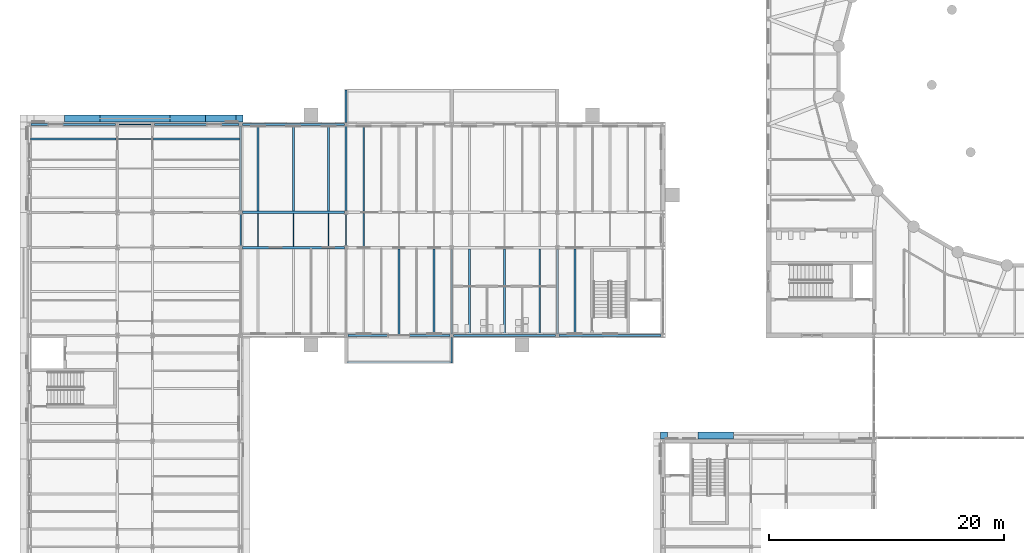
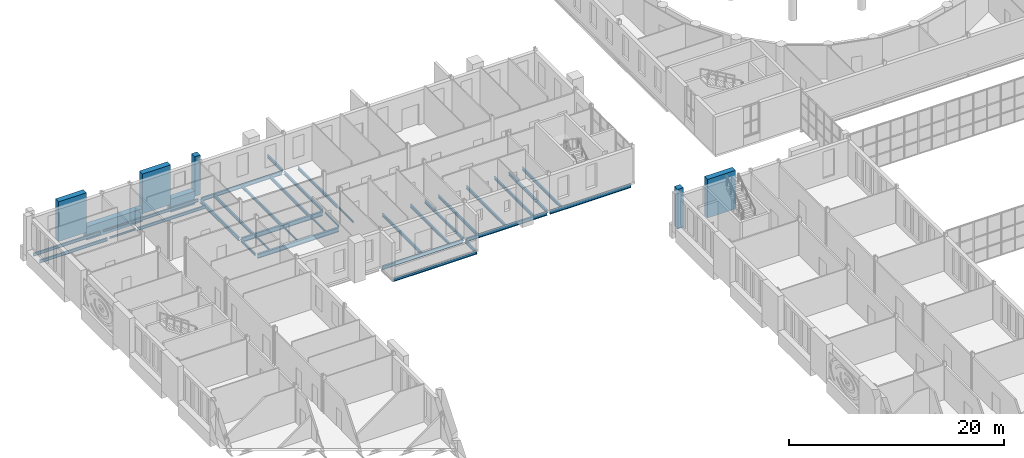
# One storey, part 37 of 134: 37 beams, 5 members.
"""IFC4 building model written with IfcOpenShell, lengths in metres."""

from ifc_helpers import new_model, si_unit, direction, frame, origin, origin_2d, place, context, subcontext, project, spatial, rectangle, i_section, extrude, material, material_profile, profile_set, type_object, element, save


model = new_model("IFC4")

# Units and contexts
model_context = context("Model", 3, precision=1e-05, world=origin(), true_north=direction((0.0, 1.0)))
body_context = subcontext(model_context, "Body", "Model", "MODEL_VIEW")
ifc_project = project(units=[si_unit("LENGTHUNIT", "METRE"), si_unit("AREAUNIT", "SQUARE_METRE"), si_unit("VOLUMEUNIT", "CUBIC_METRE"), si_unit("PLANEANGLEUNIT", "RADIAN"), si_unit("MASSUNIT", "GRAM", prefix="KILO")], contexts=[model_context])

# Site, building, storey
site_placement = place(None, origin())
site = spatial("IfcSite", under=ifc_project, at=site_placement, CompositionType="ELEMENT")
building_placement = place(site_placement, origin())
building = spatial("IfcBuilding", under=site, at=building_placement, Name="Golden Quay Civic Hall", CompositionType="ELEMENT")
storey_placement = place(building_placement, frame((0.0, 0.0, 5.39990234375)))
storey = spatial("IfcBuildingStorey", under=building, at=storey_placement, Name="L01", CompositionType="ELEMENT", Elevation=5.39990234375)

# Beams
ifc_material_1 = material(Name="Steel S355", Category="steel")
ifc_material_profile_1 = material_profile(ifc_material_1, i_section(OverallWidth=0.159912109375, OverallDepth=0.330078125, WebThickness=0.007568359375, FlangeThickness=0.011474609375, FilletRadius=0.01806640625, at=origin_2d()), Name="IPE 330")
ifc_profile_set_1 = profile_set([ifc_material_profile_1], Name="Steel S355")
beam_type_1 = type_object("IfcBeamType", Name="Loggia head beam IPE 330", PredefinedType="BEAM", material=ifc_profile_set_1)
beam_1_placement = place(storey_placement, frame((27.080078125, 60.72998046875, -0.364990234375), z_axis=(1.0, 0.0, 0.0), x_axis=(0.0, 1.0, 0.0)))
element("IfcBeam", 1, at=beam_1_placement, inside=storey, type_object=beam_type_1, Name="Loggia head beam IPE 330 L01 5", PredefinedType="BEAM", context=body_context, shape_type="SweptSolid", body=[
    extrude(i_section(OverallWidth=0.159912109375, OverallDepth=0.330078125, WebThickness=0.007568359375, FlangeThickness=0.011474609375, FilletRadius=0.01806640625, at=origin_2d()), origin(), (0.0, 0.0, 1.0), 8.83984375),
])
ifc_material_2 = material(Name="Steel S355", Category="steel")
ifc_material_profile_2 = material_profile(ifc_material_2, i_section(OverallWidth=0.159912109375, OverallDepth=0.330078125, WebThickness=0.007568359375, FlangeThickness=0.011474609375, FilletRadius=0.01806640625, at=origin_2d()), Name="IPE 330")
ifc_profile_set_2 = profile_set([ifc_material_profile_2], Name="Steel S355")
beam_type_2 = type_object("IfcBeamType", Name="Loggia stub IPE 330", PredefinedType="BEAM", material=ifc_profile_set_2)
beam_2_placement = place(storey_placement, frame((36.0, 62.85498046875, -0.364990234375), z_axis=(0.0, -1.0, 0.0), x_axis=(1.0, 0.0, 0.0)))
element("IfcBeam", 2, at=beam_2_placement, inside=storey, type_object=beam_type_2, Name="Loggia stub IPE 330 L01 7", PredefinedType="BEAM", context=body_context, shape_type="SweptSolid", body=[
    extrude(i_section(OverallWidth=0.159912109375, OverallDepth=0.330078125, WebThickness=0.007568359375, FlangeThickness=0.011474609375, FilletRadius=0.01806640625, at=origin_2d()), origin(), (0.0, 0.0, 1.0), 2.205078125),
])
beam_3_placement = place(storey_placement, frame((27.0, 81.14501953125, -0.364990234375), z_axis=(0.0, 1.0, 0.0), x_axis=(-1.0, 0.0, 0.0)))
element("IfcBeam", 3, at=beam_3_placement, inside=storey, type_object=beam_type_2, Name="Loggia stub IPE 330 L01 8", PredefinedType="BEAM", context=body_context, shape_type="SweptSolid", body=[
    extrude(i_section(OverallWidth=0.159912109375, OverallDepth=0.330078125, WebThickness=0.007568359375, FlangeThickness=0.011474609375, FilletRadius=0.01806640625, at=origin_2d()), origin(), (0.0, 0.0, 1.0), 2.804931640625),
])

# Members
ifc_material_3 = material(Name="Concrete C40/50", Category="concrete")
ifc_material_profile_3 = material_profile(ifc_material_3, rectangle(XDim=3.0, YDim=0.60009765625, at=origin_2d()), Name="RC 3000x600")
ifc_profile_set_3 = profile_set([ifc_material_profile_3], Name="Concrete C40/50")
member_type_1 = type_object("IfcMemberType", Name="Precast concrete facade pier 3000 x 600", PredefinedType="POST", material=ifc_profile_set_3)
for number, where, z_axis, x_axis, name in (
    (4, (4.5, 81.5, 0.0), (0.0, 0.0, 1.0), (1.0, 0.0, 0.0), "Precast concrete facade pier 3000 x 600 L01 9"),
    (5, (13.5, 81.5, 0.0), (0.0, 0.0, 1.0), (1.0, 0.0, 0.0), "Precast concrete facade pier 3000 x 600 L01 10"),
):
    element("IfcMember", number, at=place(storey_placement, frame(where, z_axis=z_axis, x_axis=x_axis)), inside=storey, type_object=member_type_1, Name=name, PredefinedType="POST", context=body_context, shape_type="SweptSolid", body=[
        extrude(rectangle(XDim=3.0, YDim=0.60009765625, at=origin_2d()), origin(), (0.0, 0.0, 1.0), 4.5),
    ])
member_placement = place(storey_placement, frame((58.5, 54.5, 0.130126953125), z_axis=(0.0, 0.0, 1.0), x_axis=(1.0, 0.0, 0.0)))
element("IfcMember", 6, at=member_placement, inside=storey, type_object=member_type_1, Name="Precast concrete facade pier 3000 x 600 L01 22", PredefinedType="POST", context=body_context, shape_type="SweptSolid", body=[
    extrude(rectangle(XDim=3.0, YDim=0.60009765625, at=origin_2d()), origin(), (0.0, 0.0, 1.0), 4.369873046875),
])
ifc_material_4 = material(Name="Concrete C40/50", Category="concrete")
ifc_material_profile_4 = material_profile(ifc_material_4, rectangle(XDim=0.60009765625, YDim=0.60009765625, at=origin_2d()), Name="RC 600x600")
ifc_profile_set_4 = profile_set([ifc_material_profile_4], Name="Concrete C40/50")
member_type_2 = type_object("IfcMemberType", Name="Precast concrete facade post 600 x 600", PredefinedType="POST", material=ifc_profile_set_4)
for number, where, z_axis, x_axis, name in (
    (7, (17.89990234375, 81.5, 0.0), (0.0, 0.0, 1.0), (1.0, 0.0, 0.0), "Precast concrete facade post 600 x 600 L01 3"),
    (8, (54.10009765625, 54.5, 0.0), (0.0, 0.0, 1.0), (1.0, 0.0, 0.0), "Precast concrete facade post 600 x 600 L01 7"),
):
    element("IfcMember", number, at=place(storey_placement, frame(where, z_axis=z_axis, x_axis=x_axis)), inside=storey, type_object=member_type_2, Name=name, PredefinedType="POST", context=body_context, shape_type="SweptSolid", body=[
        extrude(rectangle(XDim=0.60009765625, YDim=0.60009765625, at=origin_2d()), origin(), (0.0, 0.0, 1.0), 4.5),
    ])

# Beams
ifc_material_5 = material(Name="Concrete C40/50", Category="concrete")
ifc_material_profile_5 = material_profile(ifc_material_5, rectangle(XDim=0.60009765625, YDim=1.5, at=origin_2d()), Name="RC 600x1500")
ifc_profile_set_5 = profile_set([ifc_material_profile_5], Name="Concrete C40/50")
beam_type_3 = type_object("IfcBeamType", Name="Precast concrete spandrel beam 600 x 1500", PredefinedType="SPANDREL", material=ifc_profile_set_5)
beam_4_placement = place(storey_placement, frame((15.0, 81.5, -0.14990234375), z_axis=(1.0, 0.0, 0.0), x_axis=(0.0, 1.0, 0.0)))
element("IfcBeam", 9, at=beam_4_placement, inside=storey, type_object=beam_type_3, Name="Precast concrete spandrel beam 600 x 1500 L01 4", PredefinedType="SPANDREL", context=body_context, shape_type="SweptSolid", body=[
    extrude(rectangle(XDim=0.60009765625, YDim=1.5, at=origin_2d()), origin(), (0.0, 0.0, 1.0), 2.60009765625),
])
beam_5_placement = place(storey_placement, frame((6.0, 81.5, -0.14990234375), z_axis=(1.0, 0.0, 0.0), x_axis=(0.0, 1.0, 0.0)))
element("IfcBeam", 10, at=beam_5_placement, inside=storey, type_object=beam_type_3, Name="Precast concrete spandrel beam 600 x 1500 L01 5", PredefinedType="SPANDREL", context=body_context, shape_type="SweptSolid", body=[
    extrude(rectangle(XDim=0.60009765625, YDim=1.5, at=origin_2d()), origin(), (0.0, 0.0, 1.0), 6.0),
])
ifc_material_6 = material(Name="Steel S355", Category="steel")
ifc_material_profile_6 = material_profile(ifc_material_6, i_section(OverallWidth=0.10009765625, OverallDepth=0.199951171875, WebThickness=0.005615234375, FlangeThickness=0.008544921875, FilletRadius=0.011962890625, at=origin_2d()), Name="IPE 200")
ifc_profile_set_6 = profile_set([ifc_material_profile_6], Name="Steel S355")
beam_type_4 = type_object("IfcBeamType", Name="Steel beam IPE 200", PredefinedType="BEAM", material=ifc_profile_set_6)
beam_6_placement = place(storey_placement, frame((7.64990234375, 81.0, -0.2998046875), z_axis=(1.0, 0.0, 0.0), x_axis=(0.0, 1.0, 0.0)))
element("IfcBeam", 11, at=beam_6_placement, inside=storey, type_object=beam_type_4, Name="Beam S81-7.5", PredefinedType="BEAM", context=body_context, shape_type="SweptSolid", body=[
    extrude(i_section(OverallWidth=0.10009765625, OverallDepth=0.199951171875, WebThickness=0.005615234375, FlangeThickness=0.008544921875, FilletRadius=0.011962890625, at=origin_2d()), origin(), (0.0, 0.0, 1.0), 2.7001953125),
])
beam_7_placement = place(storey_placement, frame((27.0, 70.679931640625, -0.2998046875), z_axis=(0.0, 1.0, 0.0), x_axis=(-1.0, 0.0, 0.0)))
element("IfcBeam", 12, at=beam_7_placement, inside=storey, type_object=beam_type_4, Name="Beam S27-70.5", PredefinedType="BEAM", context=body_context, shape_type="SweptSolid", body=[
    extrude(i_section(OverallWidth=0.10009765625, OverallDepth=0.199951171875, WebThickness=0.005615234375, FlangeThickness=0.008544921875, FilletRadius=0.011962890625, at=origin_2d()), origin(), (0.0, 0.0, 1.0), 2.64013671875),
])
ifc_material_7 = material(Name="Steel S355", Category="steel")
ifc_material_profile_7 = material_profile(ifc_material_7, i_section(OverallWidth=0.135009765625, OverallDepth=0.27001953125, WebThickness=0.006591796875, FlangeThickness=0.01025390625, FilletRadius=0.014892578125, at=origin_2d()), Name="IPE 270")
ifc_profile_set_7 = profile_set([ifc_material_profile_7], Name="Steel S355")
beam_type_5 = type_object("IfcBeamType", Name="Steel beam IPE 270", PredefinedType="BEAM", material=ifc_profile_set_7)
beam_8_placement = place(storey_placement, frame((18.0, 70.64990234375, -0.3349609375), z_axis=(0.0, 1.0, 0.0), x_axis=(-1.0, 0.0, 0.0)))
element("IfcBeam", 13, at=beam_8_placement, inside=storey, type_object=beam_type_5, Name="Beam L18-70.5", PredefinedType="BEAM", context=body_context, shape_type="SweptSolid", body=[
    extrude(i_section(OverallWidth=0.135009765625, OverallDepth=0.27001953125, WebThickness=0.006591796875, FlangeThickness=0.01025390625, FilletRadius=0.014892578125, at=origin_2d()), origin(), (0.0, 0.0, 1.0), 2.7001953125),
])
ifc_material_8 = material(Name="Steel S355", Category="steel")
ifc_material_profile_8 = material_profile(ifc_material_8, i_section(OverallWidth=0.159912109375, OverallDepth=0.330078125, WebThickness=0.007568359375, FlangeThickness=0.011474609375, FilletRadius=0.01806640625, at=origin_2d()), Name="IPE 330")
ifc_profile_set_8 = profile_set([ifc_material_profile_8], Name="Steel S355")
beam_type_6 = type_object("IfcBeamType", Name="Steel beam IPE 330", PredefinedType="BEAM", material=ifc_profile_set_8)
for number, where, z_axis, x_axis, name in (
    (14, (0.14990234375, 81.0, -0.364990234375), (1.0, 0.0, 0.0), (0.0, 1.0, 0.0), "Beam S81-0"),
    (15, (10.64990234375, 81.0, -0.364990234375), (1.0, 0.0, 0.0), (0.0, 1.0, 0.0), "Beam S81-10.5"),
):
    element("IfcBeam", number, at=place(storey_placement, frame(where, z_axis=z_axis, x_axis=x_axis)), inside=storey, type_object=beam_type_6, Name=name, PredefinedType="BEAM", context=body_context, shape_type="SweptSolid", body=[
        extrude(i_section(OverallWidth=0.159912109375, OverallDepth=0.330078125, WebThickness=0.007568359375, FlangeThickness=0.011474609375, FilletRadius=0.01806640625, at=origin_2d()), origin(), (0.0, 0.0, 1.0), 7.2001953125),
    ])
for number, where, z_axis, x_axis, name in (
    (16, (27.0, 73.679931640625, -0.364990234375), (0.0, 1.0, 0.0), (-1.0, 0.0, 0.0), "Beam S27-73.5"),
    (17, (36.0, 63.14990234375, -0.364990234375), (0.0, 1.0, 0.0), (-1.0, 0.0, 0.0), "Beam S36-63"),
    (18, (45.0, 63.14990234375, -0.364990234375), (0.0, 1.0, 0.0), (-1.0, 0.0, 0.0), "Beam S45-63"),
):
    element("IfcBeam", number, at=place(storey_placement, frame(where, z_axis=z_axis, x_axis=x_axis)), inside=storey, type_object=beam_type_6, Name=name, PredefinedType="BEAM", context=body_context, shape_type="SweptSolid", body=[
        extrude(i_section(OverallWidth=0.159912109375, OverallDepth=0.330078125, WebThickness=0.007568359375, FlangeThickness=0.011474609375, FilletRadius=0.01806640625, at=origin_2d()), origin(), (0.0, 0.0, 1.0), 7.170166015625),
    ])
ifc_material_9 = material(Name="Steel S355", Category="steel")
ifc_material_profile_9 = material_profile(ifc_material_9, i_section(OverallWidth=0.179931640625, OverallDepth=0.39990234375, WebThickness=0.008544921875, FlangeThickness=0.013427734375, FilletRadius=0.02099609375, at=origin_2d()), Name="IPE 400")
ifc_profile_set_9 = profile_set([ifc_material_profile_9], Name="Steel S355")
beam_type_7 = type_object("IfcBeamType", Name="Steel beam IPE 400", PredefinedType="BEAM", material=ifc_profile_set_9)
beam_9_placement = place(storey_placement, frame((18.0, 73.64990234375, -0.39990234375), z_axis=(0.0, 1.0, 0.0), x_axis=(-1.0, 0.0, 0.0)))
element("IfcBeam", 19, at=beam_9_placement, inside=storey, type_object=beam_type_7, Name="Beam L18-73.5", PredefinedType="BEAM", context=body_context, shape_type="SweptSolid", body=[
    extrude(i_section(OverallWidth=0.179931640625, OverallDepth=0.39990234375, WebThickness=0.008544921875, FlangeThickness=0.013427734375, FilletRadius=0.02099609375, at=origin_2d()), origin(), (0.0, 0.0, 1.0), 7.2001953125),
])
for number, where, z_axis, x_axis, name in (
    (20, (27.14990234375, 63.0, -0.39990234375), (1.0, 0.0, 0.0), (0.0, 1.0, 0.0), "Beam L63-27"),
    (21, (36.14990234375, 63.0, -0.39990234375), (1.0, 0.0, 0.0), (0.0, 1.0, 0.0), "Beam L63-36"),
    (22, (45.14990234375, 63.0, -0.39990234375), (1.0, 0.0, 0.0), (0.0, 1.0, 0.0), "Beam L63-45"),
    (23, (18.14990234375, 81.0, -0.39990234375), (1.0, 0.0, 0.0), (0.0, 1.0, 0.0), "Beam L81-18"),
):
    element("IfcBeam", number, at=place(storey_placement, frame(where, z_axis=z_axis, x_axis=x_axis)), inside=storey, type_object=beam_type_7, Name=name, PredefinedType="BEAM", context=body_context, shape_type="SweptSolid", body=[
        extrude(i_section(OverallWidth=0.179931640625, OverallDepth=0.39990234375, WebThickness=0.008544921875, FlangeThickness=0.013427734375, FilletRadius=0.02099609375, at=origin_2d()), origin(), (0.0, 0.0, 1.0), 8.7001953125),
    ])
ifc_material_10 = material(Name="Steel S355", Category="steel")
ifc_material_profile_10 = material_profile(ifc_material_10, i_section(OverallWidth=0.199951171875, OverallDepth=0.5, WebThickness=0.01025390625, FlangeThickness=0.01611328125, FilletRadius=0.02099609375, at=origin_2d()), Name="IPE 500")
ifc_profile_set_10 = profile_set([ifc_material_profile_10], Name="Steel S355")
beam_type_8 = type_object("IfcBeamType", Name="Steel beam IPE 500", PredefinedType="BEAM", material=ifc_profile_set_10)
for number, where, z_axis, x_axis, name in (
    (24, (18.14990234375, 70.5, -0.449951171875), (1.0, 0.0, 0.0), (0.0, 1.0, 0.0), "Beam L70.5-18"),
    (25, (18.14990234375, 73.5, -0.449951171875), (1.0, 0.0, 0.0), (0.0, 1.0, 0.0), "Beam L73.5-18"),
):
    element("IfcBeam", number, at=place(storey_placement, frame(where, z_axis=z_axis, x_axis=x_axis)), inside=storey, type_object=beam_type_8, Name=name, PredefinedType="BEAM", context=body_context, shape_type="SweptSolid", body=[
        extrude(i_section(OverallWidth=0.199951171875, OverallDepth=0.5, WebThickness=0.01025390625, FlangeThickness=0.01611328125, FilletRadius=0.02099609375, at=origin_2d()), origin(), (0.0, 0.0, 1.0), 8.7001953125),
    ])
ifc_material_11 = material(Name="Steel S355", Category="steel")
ifc_material_profile_11 = material_profile(ifc_material_11, i_section(OverallWidth=0.10009765625, OverallDepth=0.199951171875, WebThickness=0.005615234375, FlangeThickness=0.008544921875, FilletRadius=0.011962890625, at=origin_2d()), Name="IPE 200")
ifc_profile_set_11 = profile_set([ifc_material_profile_11], Name="Steel S355")
beam_type_9 = type_object("IfcBeamType", Name="Steel joist IPE 200", PredefinedType="JOIST", material=ifc_profile_set_11)
for number, where, z_axis, x_axis, name in (
    (26, (7.60009765625, 79.75, -0.2998046875), (1.0, 0.0, 0.0), (0.0, 1.0, 0.0), "Joist J79.75-7.5"),
    (27, (19.5, 70.60009765625, -0.2998046875), (0.0, 1.0, 0.0), (-1.0, 0.0, 0.0), "Joist J19.5-70.5"),
    (28, (22.5, 70.60009765625, -0.2998046875), (0.0, 1.0, 0.0), (-1.0, 0.0, 0.0), "Joist J22.5-70.5"),
    (29, (25.5, 70.60009765625, -0.2998046875), (0.0, 1.0, 0.0), (-1.0, 0.0, 0.0), "Joist J25.5-70.5"),
    (30, (28.5, 70.60009765625, -0.2998046875), (0.0, 1.0, 0.0), (-1.0, 0.0, 0.0), "Joist J28.5-70.5"),
):
    element("IfcBeam", number, at=place(storey_placement, frame(where, z_axis=z_axis, x_axis=x_axis)), inside=storey, type_object=beam_type_9, Name=name, PredefinedType="JOIST", context=body_context, shape_type="SweptSolid", body=[
        extrude(i_section(OverallWidth=0.10009765625, OverallDepth=0.199951171875, WebThickness=0.005615234375, FlangeThickness=0.008544921875, FilletRadius=0.011962890625, at=origin_2d()), origin(), (0.0, 0.0, 1.0), 2.7998046875),
    ])
ifc_material_12 = material(Name="Steel S355", Category="steel")
ifc_material_profile_12 = material_profile(ifc_material_12, i_section(OverallWidth=0.159912109375, OverallDepth=0.330078125, WebThickness=0.007568359375, FlangeThickness=0.011474609375, FilletRadius=0.01806640625, at=origin_2d()), Name="IPE 330")
ifc_profile_set_12 = profile_set([ifc_material_profile_12], Name="Steel S355")
beam_type_10 = type_object("IfcBeamType", Name="Steel joist IPE 330", PredefinedType="JOIST", material=ifc_profile_set_12)
for number, where, z_axis, x_axis, name in (
    (31, (0.090087890625, 79.75, -0.364990234375), (1.0, 0.0, 0.0), (0.0, 1.0, 0.0), "Joist J79.75-0"),
    (32, (10.60009765625, 79.75, -0.364990234375), (1.0, 0.0, 0.0), (0.0, 1.0, 0.0), "Joist J79.75-10.5"),
    (33, (19.5, 73.60009765625, -0.364990234375), (0.0, 1.0, 0.0), (-1.0, 0.0, 0.0), "Joist J19.5-73.5"),
    (34, (22.5, 73.60009765625, -0.364990234375), (0.0, 1.0, 0.0), (-1.0, 0.0, 0.0), "Joist J22.5-73.5"),
    (35, (25.5, 73.60009765625, -0.364990234375), (0.0, 1.0, 0.0), (-1.0, 0.0, 0.0), "Joist J25.5-73.5"),
    (36, (28.5, 73.60009765625, -0.364990234375), (0.0, 1.0, 0.0), (-1.0, 0.0, 0.0), "Joist J28.5-73.5"),
    (37, (31.5, 63.090087890625, -0.364990234375), (0.0, 1.0, 0.0), (-1.0, 0.0, 0.0), "Joist J31.5-63"),
    (38, (34.5, 63.090087890625, -0.364990234375), (0.0, 1.0, 0.0), (-1.0, 0.0, 0.0), "Joist J34.5-63"),
    (39, (37.5, 63.090087890625, -0.364990234375), (0.0, 1.0, 0.0), (-1.0, 0.0, 0.0), "Joist J37.5-63"),
    (40, (40.5, 63.090087890625, -0.364990234375), (0.0, 1.0, 0.0), (-1.0, 0.0, 0.0), "Joist J40.5-63"),
    (41, (43.5, 63.090087890625, -0.364990234375), (0.0, 1.0, 0.0), (-1.0, 0.0, 0.0), "Joist J43.5-63"),
    (42, (46.5, 63.090087890625, -0.364990234375), (0.0, 1.0, 0.0), (-1.0, 0.0, 0.0), "Joist J46.5-63"),
):
    element("IfcBeam", number, at=place(storey_placement, frame(where, z_axis=z_axis, x_axis=x_axis)), inside=storey, type_object=beam_type_10, Name=name, PredefinedType="JOIST", context=body_context, shape_type="SweptSolid", body=[
        extrude(i_section(OverallWidth=0.159912109375, OverallDepth=0.330078125, WebThickness=0.007568359375, FlangeThickness=0.011474609375, FilletRadius=0.01806640625, at=origin_2d()), origin(), (0.0, 0.0, 1.0), 7.309814453125),
    ])

save(model, "model.ifc")
